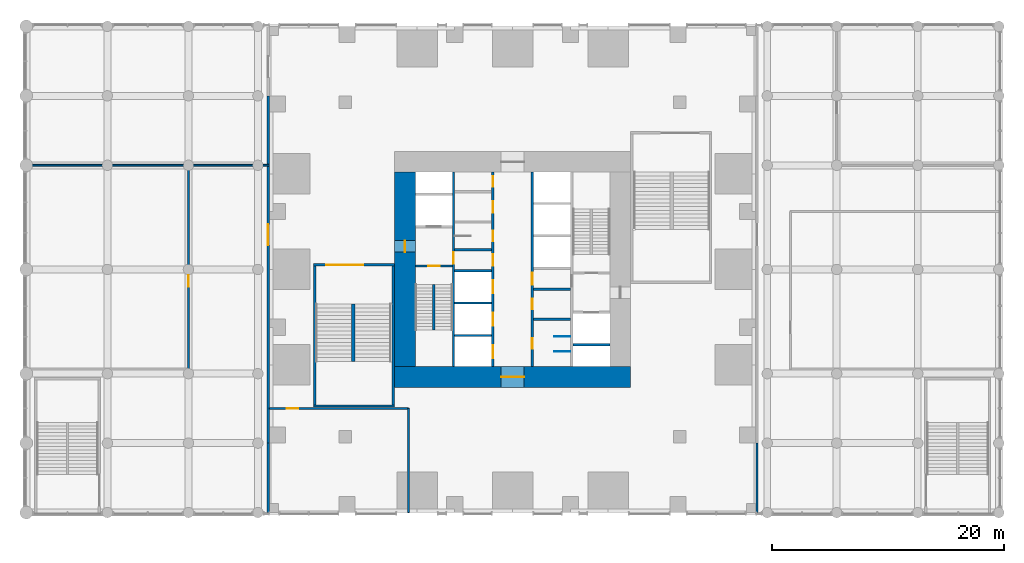
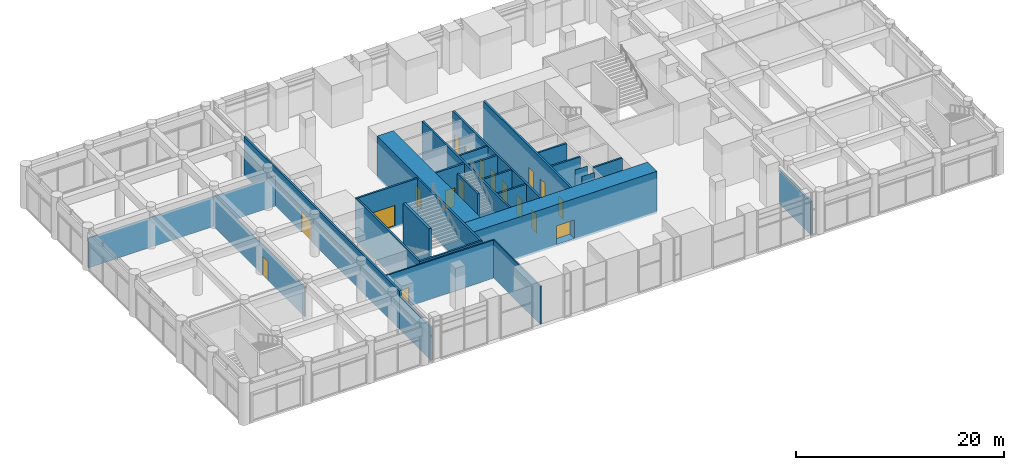
# One storey, part 16 of 23: 29 walls, 18 doors, 18 openings.
"""IFC4 building model written with IfcOpenShell, lengths in metres."""

from ifc_helpers import new_model, si_unit, direction, frame, frame_2d, origin, place, context, subcontext, project, spatial, rectangle, extrude, material, layer, layer_set, type_object, element, fill, save


model = new_model("IFC4")

# Units and contexts
model_context = context("Model", 3, precision=1e-05, world=origin(), true_north=direction((0.0, 1.0)))
body_context = subcontext(model_context, "Body", "Model", "MODEL_VIEW")
ifc_project = project(units=[si_unit("LENGTHUNIT", "METRE"), si_unit("AREAUNIT", "SQUARE_METRE"), si_unit("VOLUMEUNIT", "CUBIC_METRE"), si_unit("PLANEANGLEUNIT", "RADIAN"), si_unit("MASSUNIT", "GRAM", prefix="KILO")], contexts=[model_context])

# Site, building, storey
site_placement = place(None, origin())
site = spatial("IfcSite", under=ifc_project, at=site_placement, CompositionType="ELEMENT")
building_placement = place(site_placement, origin())
building = spatial("IfcBuilding", under=site, at=building_placement, Name="Svetlomir Tower", CompositionType="ELEMENT")
storey_placement = place(building_placement, frame((0.0, 0.0, 6.0)))
storey = spatial("IfcBuildingStorey", under=building, at=storey_placement, Name="L01", CompositionType="ELEMENT", Elevation=6.0)

# Wall, opening, door
ifc_material_1 = material(Name="Concrete C60/75", Category="concrete")
ifc_layer_1 = layer(ifc_material_1, 0.199951171875)
ifc_layer_set_1 = layer_set([ifc_layer_1], Name="Concrete C60/75")
wall_type_1 = type_object("IfcWallType", Name="CORE INNER WALL 200", PredefinedType="SHEAR", material=ifc_layer_set_1)
wall_1_placement = place(storey_placement, frame((15.89990234375, 12.60009765625, -0.199951171875), z_axis=(0.0, 0.0, 1.0), x_axis=(0.0, 1.0, 0.0)))
wall_1 = element("IfcWall", 1, at=wall_1_placement, inside=storey, type_object=wall_type_1, Name="Core inner wall 15.9 L01", PredefinedType="SHEAR", context=body_context, shape_type="SweptSolid", body=[
    extrude(rectangle(XDim=16.7998046875, YDim=0.199951171875, at=frame_2d((8.39990234375, 0.0))), origin(), (0.0, 0.0, 1.0), 4.89990234375),
])
opening_1_placement = place(wall_1_placement, frame((8.89990234375, 0.0, 0.199951171875)))
opening_1 = element("IfcOpeningElement", 2, at=opening_1_placement, cuts=wall_1, Name="Opening DF", PredefinedType="OPENING", context=body_context, shape_type="SweptSolid", body=[
    extrude(rectangle(XDim=1.0, YDim=2.199951171875, at=frame_2d((0.5, 1.10009765625))), frame((0.0, 0.10986328125, 0.0), z_axis=(0.0, -1.0, 0.0), x_axis=(1.0, 0.0, 0.0)), (0.0, 0.0, 1.0), 0.219970703125),
])
ifc_material_2 = material(Name="Steel fire door", Category="steel")
door_type_1 = type_object("IfcDoorType", Name="DOOR DF 1000x2200", OperationType="SINGLE_SWING_LEFT", PredefinedType="DOOR", material=ifc_material_2)
door_1_placement = place(opening_1_placement, origin())
door_1 = element("IfcDoor", 3, at=door_1_placement, inside=storey, type_object=door_type_1, Name="Core corridor west door L01", OperationType="SINGLE_SWING_LEFT", OverallHeight=2.199951171875, OverallWidth=1.0, PredefinedType="DOOR", context=body_context, shape_type="SweptSolid", body=[
    extrude(rectangle(XDim=1.0, YDim=2.199951171875, at=frame_2d((0.5, 1.10009765625))), frame((0.0, 0.02490234375, 0.0), z_axis=(0.0, -1.0, 0.0), x_axis=(1.0, 0.0, 0.0)), (0.0, 0.0, 1.0), 0.050048828125),
])
fill(opening_1, door_1)

# Wall, openings, doors
wall_2_placement = place(storey_placement, frame((19.300048828125, 12.60009765625, -0.199951171875), z_axis=(0.0, 0.0, 1.0), x_axis=(0.0, 1.0, 0.0)))
wall_2 = element("IfcWall", 4, at=wall_2_placement, inside=storey, type_object=wall_type_1, Name="Core inner wall 19.3 L01", PredefinedType="SHEAR", context=body_context, shape_type="SweptSolid", body=[
    extrude(rectangle(XDim=16.7998046875, YDim=0.199951171875, at=frame_2d((8.39990234375, 0.0))), origin(), (0.0, 0.0, 1.0), 4.89990234375),
])
opening_2_placement = place(wall_2_placement, frame((8.699951171875, 0.0, 0.199951171875)))
opening_2 = element("IfcOpeningElement", 5, at=opening_2_placement, cuts=wall_2, Name="Opening DC", PredefinedType="OPENING", context=body_context, shape_type="SweptSolid", body=[
    extrude(rectangle(XDim=1.0, YDim=2.199951171875, at=frame_2d((0.5, 1.10009765625))), frame((0.0, 0.10986328125, 0.0), z_axis=(0.0, -1.0, 0.0), x_axis=(1.0, 0.0, 0.0)), (0.0, 0.0, 1.0), 0.219970703125),
])
opening_3_placement = place(wall_2_placement, frame((10.85009765625, 0.0, 0.199951171875)))
opening_3 = element("IfcOpeningElement", 6, at=opening_3_placement, cuts=wall_2, Name="Opening DW", PredefinedType="OPENING", context=body_context, shape_type="SweptSolid", body=[
    extrude(rectangle(XDim=0.89990234375, YDim=2.199951171875, at=frame_2d((0.449951171875, 1.10009765625))), frame((0.0, 0.10986328125, 0.0), z_axis=(0.0, -1.0, 0.0), x_axis=(1.0, 0.0, 0.0)), (0.0, 0.0, 1.0), 0.219970703125),
])
opening_4_placement = place(wall_2_placement, frame((13.300048828125, 0.0, 0.199951171875)))
opening_4 = element("IfcOpeningElement", 7, at=opening_4_placement, cuts=wall_2, Name="Opening DC", PredefinedType="OPENING", context=body_context, shape_type="SweptSolid", body=[
    extrude(rectangle(XDim=1.0, YDim=2.199951171875, at=frame_2d((0.5, 1.10009765625))), frame((0.0, 0.10986328125, 0.0), z_axis=(0.0, -1.0, 0.0), x_axis=(1.0, 0.0, 0.0)), (0.0, 0.0, 1.0), 0.219970703125),
])
opening_5_placement = place(wall_2_placement, frame((15.550048828125, 0.0, 0.199951171875)))
opening_5 = element("IfcOpeningElement", 8, at=opening_5_placement, cuts=wall_2, Name="Opening DW", PredefinedType="OPENING", context=body_context, shape_type="SweptSolid", body=[
    extrude(rectangle(XDim=0.89990234375, YDim=2.199951171875, at=frame_2d((0.449951171875, 1.10009765625))), frame((0.0, 0.10986328125, 0.0), z_axis=(0.0, -1.0, 0.0), x_axis=(1.0, 0.0, 0.0)), (0.0, 0.0, 1.0), 0.219970703125),
])
opening_6_placement = place(wall_2_placement, frame((0.75, 0.0, 0.199951171875)))
opening_6 = element("IfcOpeningElement", 9, at=opening_6_placement, cuts=wall_2, Name="Opening LD", PredefinedType="OPENING", context=body_context, shape_type="SweptSolid", body=[
    extrude(rectangle(XDim=1.10009765625, YDim=2.199951171875, at=frame_2d((0.550048828125, 1.10009765625))), frame((0.0, 0.10986328125, 0.0), z_axis=(0.0, -1.0, 0.0), x_axis=(1.0, 0.0, 0.0)), (0.0, 0.0, 1.0), 0.219970703125),
])
opening_7_placement = place(wall_2_placement, frame((3.550048828125, 0.0, 0.199951171875)))
opening_7 = element("IfcOpeningElement", 10, at=opening_7_placement, cuts=wall_2, Name="Opening LD", PredefinedType="OPENING", context=body_context, shape_type="SweptSolid", body=[
    extrude(rectangle(XDim=1.10009765625, YDim=2.199951171875, at=frame_2d((0.550048828125, 1.10009765625))), frame((0.0, 0.10986328125, 0.0), z_axis=(0.0, -1.0, 0.0), x_axis=(1.0, 0.0, 0.0)), (0.0, 0.0, 1.0), 0.219970703125),
])
opening_8_placement = place(wall_2_placement, frame((6.35009765625, 0.0, 0.199951171875)))
opening_8 = element("IfcOpeningElement", 11, at=opening_8_placement, cuts=wall_2, Name="Opening LD", PredefinedType="OPENING", context=body_context, shape_type="SweptSolid", body=[
    extrude(rectangle(XDim=1.10009765625, YDim=2.199951171875, at=frame_2d((0.550048828125, 1.10009765625))), frame((0.0, 0.10986328125, 0.0), z_axis=(0.0, -1.0, 0.0), x_axis=(1.0, 0.0, 0.0)), (0.0, 0.0, 1.0), 0.219970703125),
])
ifc_material_3 = material(Name="Timber fire door", Category="wood")
door_type_2 = type_object("IfcDoorType", Name="DOOR DC 1000x2200", OperationType="SINGLE_SWING_LEFT", PredefinedType="DOOR", material=ifc_material_3)
door_2_placement = place(opening_2_placement, origin())
door_2 = element("IfcDoor", 12, at=door_2_placement, inside=storey, type_object=door_type_2, Name="Core corridor west lobby door L01", OperationType="SINGLE_SWING_LEFT", OverallHeight=2.199951171875, OverallWidth=1.0, PredefinedType="DOOR", context=body_context, shape_type="SweptSolid", body=[
    extrude(rectangle(XDim=1.0, YDim=2.199951171875, at=frame_2d((0.5, 1.10009765625))), frame((0.0, 0.02490234375, 0.0), z_axis=(0.0, -1.0, 0.0), x_axis=(1.0, 0.0, 0.0)), (0.0, 0.0, 1.0), 0.050048828125),
])
fill(opening_2, door_2)
door_3_placement = place(opening_4_placement, origin())
door_3 = element("IfcDoor", 13, at=door_3_placement, inside=storey, type_object=door_type_2, Name="Accessible WC door L01", OperationType="SINGLE_SWING_RIGHT", OverallHeight=2.199951171875, OverallWidth=1.0, PredefinedType="DOOR", context=body_context, shape_type="SweptSolid", body=[
    extrude(rectangle(XDim=1.0, YDim=2.199951171875, at=frame_2d((0.5, 1.10009765625))), frame((0.0, 0.02490234375, 0.0), z_axis=(0.0, -1.0, 0.0), x_axis=(1.0, 0.0, 0.0)), (0.0, 0.0, 1.0), 0.050048828125),
])
fill(opening_4, door_3)
ifc_material_4 = material(Name="Timber fire door", Category="wood")
door_type_3 = type_object("IfcDoorType", Name="DOOR DW 900x2200", OperationType="SINGLE_SWING_LEFT", PredefinedType="DOOR", material=ifc_material_4)
door_4_placement = place(opening_3_placement, origin())
door_4 = element("IfcDoor", 14, at=door_4_placement, inside=storey, type_object=door_type_3, Name="Female WC door L01", OperationType="SINGLE_SWING_LEFT", OverallHeight=2.199951171875, OverallWidth=0.89990234375, PredefinedType="DOOR", context=body_context, shape_type="SweptSolid", body=[
    extrude(rectangle(XDim=0.89990234375, YDim=2.199951171875, at=frame_2d((0.449951171875, 1.10009765625))), frame((0.0, 0.02490234375, 0.0), z_axis=(0.0, -1.0, 0.0), x_axis=(1.0, 0.0, 0.0)), (0.0, 0.0, 1.0), 0.050048828125),
])
fill(opening_3, door_4)
door_5_placement = place(opening_5_placement, origin())
door_5 = element("IfcDoor", 15, at=door_5_placement, inside=storey, type_object=door_type_3, Name="Tea point door L01", OperationType="SINGLE_SWING_LEFT", OverallHeight=2.199951171875, OverallWidth=0.89990234375, PredefinedType="DOOR", context=body_context, shape_type="SweptSolid", body=[
    extrude(rectangle(XDim=0.89990234375, YDim=2.199951171875, at=frame_2d((0.449951171875, 1.10009765625))), frame((0.0, 0.02490234375, 0.0), z_axis=(0.0, -1.0, 0.0), x_axis=(1.0, 0.0, 0.0)), (0.0, 0.0, 1.0), 0.050048828125),
])
fill(opening_5, door_5)
ifc_material_5 = material(Name="Stainless steel landing door", Category="steel")
door_type_4 = type_object("IfcDoorType", Name="LIFT LANDING DOOR LD 1100x2200", OperationType="DOUBLE_DOOR_SLIDING", PredefinedType="DOOR", material=ifc_material_5)
door_6_placement = place(opening_6_placement, origin())
door_6 = element("IfcDoor", 16, at=door_6_placement, inside=storey, type_object=door_type_4, Name="Landing door lift LA1 L01", OperationType="DOUBLE_DOOR_SLIDING", OverallHeight=2.199951171875, OverallWidth=1.10009765625, PredefinedType="DOOR", context=body_context, shape_type="SweptSolid", body=[
    extrude(rectangle(XDim=1.10009765625, YDim=2.199951171875, at=frame_2d((0.550048828125, 1.10009765625))), frame((0.0, 0.02490234375, 0.0), z_axis=(0.0, -1.0, 0.0), x_axis=(1.0, 0.0, 0.0)), (0.0, 0.0, 1.0), 0.050048828125),
])
fill(opening_6, door_6)
door_7_placement = place(opening_7_placement, origin())
door_7 = element("IfcDoor", 17, at=door_7_placement, inside=storey, type_object=door_type_4, Name="Landing door lift LA2 L01", OperationType="DOUBLE_DOOR_SLIDING", OverallHeight=2.199951171875, OverallWidth=1.10009765625, PredefinedType="DOOR", context=body_context, shape_type="SweptSolid", body=[
    extrude(rectangle(XDim=1.10009765625, YDim=2.199951171875, at=frame_2d((0.550048828125, 1.10009765625))), frame((0.0, 0.02490234375, 0.0), z_axis=(0.0, -1.0, 0.0), x_axis=(1.0, 0.0, 0.0)), (0.0, 0.0, 1.0), 0.050048828125),
])
fill(opening_7, door_7)
door_8_placement = place(opening_8_placement, origin())
door_8 = element("IfcDoor", 18, at=door_8_placement, inside=storey, type_object=door_type_4, Name="Landing door lift LA3 L01", OperationType="DOUBLE_DOOR_SLIDING", OverallHeight=2.199951171875, OverallWidth=1.10009765625, PredefinedType="DOOR", context=body_context, shape_type="SweptSolid", body=[
    extrude(rectangle(XDim=1.10009765625, YDim=2.199951171875, at=frame_2d((0.550048828125, 1.10009765625))), frame((0.0, 0.02490234375, 0.0), z_axis=(0.0, -1.0, 0.0), x_axis=(1.0, 0.0, 0.0)), (0.0, 0.0, 1.0), 0.050048828125),
])
fill(opening_8, door_8)

wall_3_placement = place(storey_placement, frame((22.699951171875, 12.60009765625, -0.199951171875), z_axis=(0.0, 0.0, 1.0), x_axis=(0.0, 1.0, 0.0)))
wall_3 = element("IfcWall", 19, at=wall_3_placement, inside=storey, type_object=wall_type_1, Name="Core inner wall 22.7 L01", PredefinedType="SHEAR", context=body_context, shape_type="SweptSolid", body=[
    extrude(rectangle(XDim=16.7998046875, YDim=0.199951171875, at=frame_2d((8.39990234375, 0.0))), origin(), (0.0, 0.0, 1.0), 4.89990234375),
])
opening_9_placement = place(wall_3_placement, frame((7.10009765625, 0.0, 0.199951171875)))
opening_9 = element("IfcOpeningElement", 20, at=opening_9_placement, cuts=wall_3, Name="Opening DC", PredefinedType="OPENING", context=body_context, shape_type="SweptSolid", body=[
    extrude(rectangle(XDim=1.0, YDim=2.199951171875, at=frame_2d((0.5, 1.10009765625))), frame((0.0, 0.10986328125, 0.0), z_axis=(0.0, -1.0, 0.0), x_axis=(1.0, 0.0, 0.0)), (0.0, 0.0, 1.0), 0.219970703125),
])
opening_10_placement = place(wall_3_placement, frame((1.550048828125, 0.0, 0.199951171875)))
opening_10 = element("IfcOpeningElement", 21, at=opening_10_placement, cuts=wall_3, Name="Opening DW", PredefinedType="OPENING", context=body_context, shape_type="SweptSolid", body=[
    extrude(rectangle(XDim=0.89990234375, YDim=2.199951171875, at=frame_2d((0.449951171875, 1.10009765625))), frame((0.0, 0.10986328125, 0.0), z_axis=(0.0, -1.0, 0.0), x_axis=(1.0, 0.0, 0.0)), (0.0, 0.0, 1.0), 0.219970703125),
])
opening_11_placement = place(wall_3_placement, frame((4.949951171875, 0.0, 0.199951171875)))
opening_11 = element("IfcOpeningElement", 22, at=opening_11_placement, cuts=wall_3, Name="Opening DW", PredefinedType="OPENING", context=body_context, shape_type="SweptSolid", body=[
    extrude(rectangle(XDim=0.89990234375, YDim=2.199951171875, at=frame_2d((0.449951171875, 1.10009765625))), frame((0.0, 0.10986328125, 0.0), z_axis=(0.0, -1.0, 0.0), x_axis=(1.0, 0.0, 0.0)), (0.0, 0.0, 1.0), 0.219970703125),
])
door_9_placement = place(opening_9_placement, origin())
door_9 = element("IfcDoor", 23, at=door_9_placement, inside=storey, type_object=door_type_2, Name="Core corridor east lobby door L01", OperationType="SINGLE_SWING_RIGHT", OverallHeight=2.199951171875, OverallWidth=1.0, PredefinedType="DOOR", context=body_context, shape_type="SweptSolid", body=[
    extrude(rectangle(XDim=1.0, YDim=2.199951171875, at=frame_2d((0.5, 1.10009765625))), frame((0.0, 0.02490234375, 0.0), z_axis=(0.0, -1.0, 0.0), x_axis=(1.0, 0.0, 0.0)), (0.0, 0.0, 1.0), 0.050048828125),
])
fill(opening_9, door_9)
door_10_placement = place(opening_10_placement, origin())
door_10 = element("IfcDoor", 24, at=door_10_placement, inside=storey, type_object=door_type_3, Name="Male WC door L01", OperationType="SINGLE_SWING_RIGHT", OverallHeight=2.199951171875, OverallWidth=0.89990234375, PredefinedType="DOOR", context=body_context, shape_type="SweptSolid", body=[
    extrude(rectangle(XDim=0.89990234375, YDim=2.199951171875, at=frame_2d((0.449951171875, 1.10009765625))), frame((0.0, 0.02490234375, 0.0), z_axis=(0.0, -1.0, 0.0), x_axis=(1.0, 0.0, 0.0)), (0.0, 0.0, 1.0), 0.050048828125),
])
fill(opening_10, door_10)
door_11_placement = place(opening_11_placement, origin())
door_11 = element("IfcDoor", 25, at=door_11_placement, inside=storey, type_object=door_type_3, Name="Comms room door L01", OperationType="SINGLE_SWING_LEFT", OverallHeight=2.199951171875, OverallWidth=0.89990234375, PredefinedType="DOOR", context=body_context, shape_type="SweptSolid", body=[
    extrude(rectangle(XDim=0.89990234375, YDim=2.199951171875, at=frame_2d((0.449951171875, 1.10009765625))), frame((0.0, 0.02490234375, 0.0), z_axis=(0.0, -1.0, 0.0), x_axis=(1.0, 0.0, 0.0)), (0.0, 0.0, 1.0), 0.050048828125),
])
fill(opening_11, door_11)

# Wall, opening, door
wall_4_placement = place(storey_placement, frame((12.60009765625, 21.300048828125, -0.199951171875), z_axis=(0.0, 0.0, 1.0), x_axis=(1.0, 0.0, 0.0)))
wall_4 = element("IfcWall", 26, at=wall_4_placement, inside=storey, type_object=wall_type_1, Name="Core inner wall 12.6-15.8/21.3 L01", PredefinedType="SHEAR", context=body_context, shape_type="SweptSolid", body=[
    extrude(rectangle(XDim=3.199951171875, YDim=0.199951171875, at=frame_2d((1.60009765625, 0.0))), origin(), (0.0, 0.0, 1.0), 4.89990234375),
])
opening_12_placement = place(wall_4_placement, frame((1.10009765625, 0.0, 0.199951171875)))
opening_12 = element("IfcOpeningElement", 27, at=opening_12_placement, cuts=wall_4, Name="Opening DF", PredefinedType="OPENING", context=body_context, shape_type="SweptSolid", body=[
    extrude(rectangle(XDim=1.0, YDim=2.199951171875, at=frame_2d((0.5, 1.10009765625))), frame((0.0, 0.10986328125, 0.0), z_axis=(0.0, -1.0, 0.0), x_axis=(1.0, 0.0, 0.0)), (0.0, 0.0, 1.0), 0.219970703125),
])
door_12_placement = place(opening_12_placement, origin())
door_12 = element("IfcDoor", 28, at=door_12_placement, inside=storey, type_object=door_type_1, Name="Stair S1 door L01", OperationType="SINGLE_SWING_LEFT", OverallHeight=2.199951171875, OverallWidth=1.0, PredefinedType="DOOR", context=body_context, shape_type="SweptSolid", body=[
    extrude(rectangle(XDim=1.0, YDim=2.199951171875, at=frame_2d((0.5, 1.10009765625))), frame((0.0, 0.02490234375, 0.0), z_axis=(0.0, -1.0, 0.0), x_axis=(1.0, 0.0, 0.0)), (0.0, 0.0, 1.0), 0.050048828125),
])
fill(opening_12, door_12)

# Walls
for number, where, z_axis, x_axis, name in (
    (29, (16.0, 15.300048828125, -0.199951171875), (0.0, 0.0, 1.0), (1.0, 0.0, 0.0), "Core inner wall 16-19.2/15.3 L01"),
    (30, (16.0, 18.10009765625, -0.199951171875), (0.0, 0.0, 1.0), (1.0, 0.0, 0.0), "Core inner wall 16-19.2/18.1 L01"),
    (31, (16.0, 20.89990234375, -0.199951171875), (0.0, 0.0, 1.0), (1.0, 0.0, 0.0), "Core inner wall 16-19.2/20.9 L01"),
    (32, (16.0, 22.699951171875, -0.199951171875), (0.0, 0.0, 1.0), (1.0, 0.0, 0.0), "Core inner wall 16-19.2/22.7 L01"),
    (33, (22.800048828125, 16.699951171875, -0.199951171875), (0.0, 0.0, 1.0), (1.0, 0.0, 0.0), "Core inner wall 22.8-26/16.7 L01"),
    (34, (22.800048828125, 19.300048828125, -0.199951171875), (0.0, 0.0, 1.0), (1.0, 0.0, 0.0), "Core inner wall 22.8-26/19.3 L01"),
    (35, (26.199951171875, 14.5, -0.199951171875), (0.0, 0.0, 1.0), (1.0, 0.0, 0.0), "Core inner wall 26.2-29.4/14.5 L01"),
):
    element("IfcWall", number, at=place(storey_placement, frame(where, z_axis=z_axis, x_axis=x_axis)), inside=storey, type_object=wall_type_1, Name=name, PredefinedType="SHEAR", context=body_context, shape_type="SweptSolid", body=[
        extrude(rectangle(XDim=3.199951171875, YDim=0.199951171875, at=frame_2d((1.60009765625, 0.0))), origin(), (0.0, 0.0, 1.0), 4.89990234375),
    ])

# Wall, opening, door
ifc_material_6 = material(Name="Concrete C60/75", Category="concrete")
ifc_layer_2 = layer(ifc_material_6, 1.800048828125)
ifc_layer_set_2 = layer_set([ifc_layer_2], Name="Concrete C60/75")
wall_type_2 = type_object("IfcWallType", Name="CORE WALL 1800", PredefinedType="SHEAR", material=ifc_layer_set_2)
wall_5_placement = place(storey_placement, frame((10.800048828125, 11.699951171875, -0.199951171875), z_axis=(0.0, 0.0, 1.0), x_axis=(1.0, 0.0, 0.0)))
wall_5 = element("IfcWall", 36, at=wall_5_placement, inside=storey, type_object=wall_type_2, Name="Core wall south L01", PredefinedType="SHEAR", context=body_context, shape_type="SweptSolid", body=[
    extrude(rectangle(XDim=20.39990234375, YDim=1.800048828125, at=frame_2d((10.199951171875, 0.0))), origin(), (0.0, 0.0, 1.0), 4.89990234375),
])
opening_13_placement = place(wall_5_placement, frame((9.199951171875, 0.0, 0.199951171875)))
opening_13 = element("IfcOpeningElement", 37, at=opening_13_placement, cuts=wall_5, Name="Opening DL", PredefinedType="OPENING", context=body_context, shape_type="SweptSolid", body=[
    extrude(rectangle(XDim=2.0, YDim=2.199951171875, at=frame_2d((1.0, 1.10009765625))), frame((0.0, 0.91015625, 0.0), z_axis=(0.0, -1.0, 0.0), x_axis=(1.0, 0.0, 0.0)), (0.0, 0.0, 1.0), 1.820068359375),
])
ifc_material_7 = material(Name="Steel fire door", Category="steel")
door_type_5 = type_object("IfcDoorType", Name="DOOR DL 2000x2200", OperationType="DOUBLE_DOOR_SINGLE_SWING", PredefinedType="DOOR", material=ifc_material_7)
door_13_placement = place(opening_13_placement, origin())
door_13 = element("IfcDoor", 38, at=door_13_placement, inside=storey, type_object=door_type_5, Name="Lift lobby south door L01", OperationType="DOUBLE_DOOR_SINGLE_SWING", OverallHeight=2.199951171875, OverallWidth=2.0, PredefinedType="DOOR", context=body_context, shape_type="SweptSolid", body=[
    extrude(rectangle(XDim=2.0, YDim=2.199951171875, at=frame_2d((1.0, 1.10009765625))), frame((0.0, 0.02490234375, 0.0), z_axis=(0.0, -1.0, 0.0), x_axis=(1.0, 0.0, 0.0)), (0.0, 0.0, 1.0), 0.050048828125),
])
fill(opening_13, door_13)

wall_6_placement = place(storey_placement, frame((11.699951171875, 12.60009765625, -0.199951171875), z_axis=(0.0, 0.0, 1.0), x_axis=(0.0, 1.0, 0.0)))
wall_6 = element("IfcWall", 39, at=wall_6_placement, inside=storey, type_object=wall_type_2, Name="Core wall west L01", PredefinedType="SHEAR", context=body_context, shape_type="SweptSolid", body=[
    extrude(rectangle(XDim=16.7998046875, YDim=1.800048828125, at=frame_2d((8.39990234375, 0.0))), origin(), (0.0, 0.0, 1.0), 4.89990234375),
])
opening_14_placement = place(wall_6_placement, frame((9.89990234375, 0.0, 0.199951171875)))
opening_14 = element("IfcOpeningElement", 40, at=opening_14_placement, cuts=wall_6, Name="Opening DF", PredefinedType="OPENING", context=body_context, shape_type="SweptSolid", body=[
    extrude(rectangle(XDim=1.0, YDim=2.199951171875, at=frame_2d((0.5, 1.10009765625))), frame((0.0, 0.91015625, 0.0), z_axis=(0.0, -1.0, 0.0), x_axis=(1.0, 0.0, 0.0)), (0.0, 0.0, 1.0), 1.820068359375),
])
door_14_placement = place(opening_14_placement, origin())
door_14 = element("IfcDoor", 41, at=door_14_placement, inside=storey, type_object=door_type_1, Name="Firefighting lobby west door L01", OperationType="SINGLE_SWING_LEFT", OverallHeight=2.199951171875, OverallWidth=1.0, PredefinedType="DOOR", context=body_context, shape_type="SweptSolid", body=[
    extrude(rectangle(XDim=1.0, YDim=2.199951171875, at=frame_2d((0.5, 1.10009765625))), frame((0.0, 0.02490234375, 0.0), z_axis=(0.0, -1.0, 0.0), x_axis=(1.0, 0.0, 0.0)), (0.0, 0.0, 1.0), 0.050048828125),
])
fill(opening_14, door_14)

# Wall
ifc_material_8 = material(Name="Reinforced blockwork fire wall", Category="masonry")
ifc_layer_3 = layer(ifc_material_8, 0.199951171875)
ifc_layer_set_3 = layer_set([ifc_layer_3], Name="Reinforced blockwork fire wall")
wall_type_3 = type_object("IfcWallType", Name="FIRE WALL 200", PredefinedType="PARTITIONING", material=ifc_layer_set_3)
wall_7_placement = place(storey_placement, frame((-0.110107421875, 0.0, 0.0), z_axis=(0.0, 0.0, 1.0), x_axis=(0.0, 1.0, 0.0)))
element("IfcWall", 42, at=wall_7_placement, inside=storey, type_object=wall_type_3, Name="Fire wall L01", PredefinedType="PARTITIONING", context=body_context, shape_type="SweptSolid", body=[
    extrude(rectangle(XDim=6.0, YDim=0.199951171875, at=frame_2d((3.0, 0.0))), origin(), (0.0, 0.0, 1.0), 3.8798828125),
])

# Wall, opening, door
wall_8_placement = place(storey_placement, frame((-0.110107421875, 6.0, 0.0), z_axis=(0.0, 0.0, 1.0), x_axis=(0.0, 1.0, 0.0)))
wall_8 = element("IfcWall", 43, at=wall_8_placement, inside=storey, type_object=wall_type_3, Name="Fire wall L01", PredefinedType="PARTITIONING", context=body_context, shape_type="SweptSolid", body=[
    extrude(rectangle(XDim=30.0, YDim=0.199951171875, at=frame_2d((15.0, 0.0))), origin(), (0.0, 0.0, 1.0), 4.5),
])
opening_15_placement = place(wall_8_placement, frame((17.10009765625, 0.0, 0.0)))
opening_15 = element("IfcOpeningElement", 44, at=opening_15_placement, cuts=wall_8, Name="Opening FD120", PredefinedType="OPENING", context=body_context, shape_type="SweptSolid", body=[
    extrude(rectangle(XDim=1.800048828125, YDim=2.39990234375, at=frame_2d((0.89990234375, 1.199951171875))), frame((0.0, 0.10986328125, 0.0), z_axis=(0.0, -1.0, 0.0), x_axis=(1.0, 0.0, 0.0)), (0.0, 0.0, 1.0), 0.219970703125),
])
ifc_material_9 = material(Name="Self-closing steel fire door", Category="steel")
door_type_6 = type_object("IfcDoorType", Name="FIRE DOOR FD120 1800x2400", OperationType="DOUBLE_DOOR_SINGLE_SWING", PredefinedType="DOOR", material=ifc_material_9)
door_15_placement = place(opening_15_placement, origin())
door_15 = element("IfcDoor", 45, at=door_15_placement, inside=storey, type_object=door_type_6, Name="Fire wall door L01", OperationType="DOUBLE_DOOR_SINGLE_SWING", OverallHeight=2.39990234375, OverallWidth=1.800048828125, PredefinedType="DOOR", context=body_context, shape_type="SweptSolid", body=[
    extrude(rectangle(XDim=1.800048828125, YDim=2.39990234375, at=frame_2d((0.89990234375, 1.199951171875))), frame((0.0, 0.02490234375, 0.0), z_axis=(0.0, -1.0, 0.0), x_axis=(1.0, 0.0, 0.0)), (0.0, 0.0, 1.0), 0.050048828125),
])
fill(opening_15, door_15)

# Walls
wall_9_placement = place(storey_placement, frame((42.110107421875, 0.0, 0.0), z_axis=(0.0, 0.0, 1.0), x_axis=(0.0, 1.0, 0.0)))
element("IfcWall", 46, at=wall_9_placement, inside=storey, type_object=wall_type_3, Name="Fire wall L01", PredefinedType="PARTITIONING", context=body_context, shape_type="SweptSolid", body=[
    extrude(rectangle(XDim=6.0, YDim=0.199951171875, at=frame_2d((3.0, 0.0))), origin(), (0.0, 0.0, 1.0), 3.8798828125),
])
ifc_material_10 = material(Name="Washable cement board on steel studs", Category="steel")
ifc_layer_4 = layer(ifc_material_10, 0.14990234375)
ifc_layer_set_4 = layer_set([ifc_layer_4], Name="Washable cement board on steel studs")
wall_type_4 = type_object("IfcWallType", Name="HYGIENIC PARTITION 150", PredefinedType="PARTITIONING", material=ifc_layer_set_4)
wall_10_placement = place(storey_placement, frame((-21.0, 30.0, 0.0), z_axis=(0.0, 0.0, 1.0), x_axis=(1.0, 0.0, 0.0)))
element("IfcWall", 47, at=wall_10_placement, inside=storey, type_object=wall_type_4, Name="Partition L01", PredefinedType="PARTITIONING", context=body_context, shape_type="SweptSolid", body=[
    extrude(rectangle(XDim=14.0, YDim=0.14990234375, at=frame_2d((7.0, 0.0))), origin(), (0.0, 0.0, 1.0), 3.5),
])

# Wall, opening, door
wall_11_placement = place(storey_placement, frame((-7.0, 12.39990234375, 0.0), z_axis=(0.0, 0.0, 1.0), x_axis=(0.0, 1.0, 0.0)))
wall_11 = element("IfcWall", 48, at=wall_11_placement, inside=storey, type_object=wall_type_4, Name="Partition L01", PredefinedType="PARTITIONING", context=body_context, shape_type="SweptSolid", body=[
    extrude(rectangle(XDim=17.60009765625, YDim=0.14990234375, at=frame_2d((8.800048828125, 0.0))), origin(), (0.0, 0.0, 1.0), 3.5),
])
opening_16_placement = place(wall_11_placement, frame((7.10009765625, 0.0, 0.0)))
opening_16 = element("IfcOpeningElement", 49, at=opening_16_placement, cuts=wall_11, Name="Opening DR", PredefinedType="OPENING", context=body_context, shape_type="SweptSolid", body=[
    extrude(rectangle(XDim=1.0, YDim=2.199951171875, at=frame_2d((0.5, 1.10009765625))), frame((0.0, 0.0849609375, 0.0), z_axis=(0.0, -1.0, 0.0), x_axis=(1.0, 0.0, 0.0)), (0.0, 0.0, 1.0), 0.169921875),
])
ifc_material_11 = material(Name="Timber door, glazed side light", Category="wood")
door_type_7 = type_object("IfcDoorType", Name="DOOR DR 1000x2200", OperationType="SINGLE_SWING_LEFT", PredefinedType="DOOR", material=ifc_material_11)
door_16_placement = place(opening_16_placement, origin())
door_16 = element("IfcDoor", 50, at=door_16_placement, inside=storey, type_object=door_type_7, Name="Kitchen door L01", OperationType="SINGLE_SWING_RIGHT", OverallHeight=2.199951171875, OverallWidth=1.0, PredefinedType="DOOR", context=body_context, shape_type="SweptSolid", body=[
    extrude(rectangle(XDim=1.0, YDim=2.199951171875, at=frame_2d((0.5, 1.10009765625))), frame((0.0, 0.02490234375, 0.0), z_axis=(0.0, -1.0, 0.0), x_axis=(1.0, 0.0, 0.0)), (0.0, 0.0, 1.0), 0.050048828125),
])
fill(opening_16, door_16)

# Wall
wall_12_placement = place(storey_placement, frame((-7.0, 30.0, 0.0), z_axis=(0.0, 0.0, 1.0), x_axis=(1.0, 0.0, 0.0)))
element("IfcWall", 51, at=wall_12_placement, inside=storey, type_object=wall_type_4, Name="Partition L01", PredefinedType="PARTITIONING", context=body_context, shape_type="SweptSolid", body=[
    extrude(rectangle(XDim=7.0, YDim=0.14990234375, at=frame_2d((3.5, 0.0))), origin(), (0.0, 0.0, 1.0), 3.5),
])

# Wall, opening, door
wall_13_placement = place(storey_placement, frame((0.0, 9.0, 0.0), z_axis=(0.0, 0.0, 1.0), x_axis=(1.0, 0.0, 0.0)))
wall_13 = element("IfcWall", 52, at=wall_13_placement, inside=storey, type_object=wall_type_4, Name="Partition L01", PredefinedType="PARTITIONING", context=body_context, shape_type="SweptSolid", body=[
    extrude(rectangle(XDim=12.0, YDim=0.14990234375, at=frame_2d((6.0, 0.0))), origin(), (0.0, 0.0, 1.0), 4.5),
])
opening_17_placement = place(wall_13_placement, frame((1.5, 0.0, 0.0)))
opening_17 = element("IfcOpeningElement", 53, at=opening_17_placement, cuts=wall_13, Name="Opening DR", PredefinedType="OPENING", context=body_context, shape_type="SweptSolid", body=[
    extrude(rectangle(XDim=1.0, YDim=2.199951171875, at=frame_2d((0.5, 1.10009765625))), frame((0.0, 0.0849609375, 0.0), z_axis=(0.0, -1.0, 0.0), x_axis=(1.0, 0.0, 0.0)), (0.0, 0.0, 1.0), 0.169921875),
])
door_17_placement = place(opening_17_placement, origin())
door_17 = element("IfcDoor", 54, at=door_17_placement, inside=storey, type_object=door_type_7, Name="Servery door L01", OperationType="SINGLE_SWING_RIGHT", OverallHeight=2.199951171875, OverallWidth=1.0, PredefinedType="DOOR", context=body_context, shape_type="SweptSolid", body=[
    extrude(rectangle(XDim=1.0, YDim=2.199951171875, at=frame_2d((0.5, 1.10009765625))), frame((0.0, 0.02490234375, 0.0), z_axis=(0.0, -1.0, 0.0), x_axis=(1.0, 0.0, 0.0)), (0.0, 0.0, 1.0), 0.050048828125),
])
fill(opening_17, door_17)

# Walls
wall_14_placement = place(storey_placement, frame((12.0, 0.0, 0.0), z_axis=(0.0, 0.0, 1.0), x_axis=(0.0, 1.0, 0.0)))
element("IfcWall", 55, at=wall_14_placement, inside=storey, type_object=wall_type_4, Name="Partition L01", PredefinedType="PARTITIONING", context=body_context, shape_type="SweptSolid", body=[
    extrude(rectangle(XDim=9.0, YDim=0.14990234375, at=frame_2d((4.5, 0.0))), origin(), (0.0, 0.0, 1.0), 4.5),
])
ifc_material_12 = material(Name="Concrete C60/75", Category="concrete")
ifc_layer_5 = layer(ifc_material_12, 0.199951171875)
ifc_layer_set_5 = layer_set([ifc_layer_5], Name="Concrete C60/75")
wall_type_5 = type_object("IfcWallType", Name="STAIR CORE WALL RC 200", PredefinedType="SOLIDWALL", material=ifc_layer_set_5)
wall_15_placement = place(storey_placement, frame((3.800048828125, 9.199951171875, -0.199951171875), z_axis=(0.0, 0.0, 1.0), x_axis=(1.0, 0.0, 0.0)))
element("IfcWall", 56, at=wall_15_placement, inside=storey, type_object=wall_type_5, Name="Stair P1 enclosure wall L01", PredefinedType="SOLIDWALL", context=body_context, shape_type="SweptSolid", body=[
    extrude(rectangle(XDim=7.0, YDim=0.199951171875, at=frame_2d((3.5, 0.0))), origin(), (0.0, 0.0, 1.0), 4.89990234375),
])
wall_16_placement = place(storey_placement, frame((10.699951171875, 9.10009765625, -0.199951171875), z_axis=(0.0, 0.0, 1.0), x_axis=(0.0, 1.0, 0.0)))
element("IfcWall", 57, at=wall_16_placement, inside=storey, type_object=wall_type_5, Name="Stair P1 enclosure wall L01", PredefinedType="SOLIDWALL", context=body_context, shape_type="SweptSolid", body=[
    extrude(rectangle(XDim=12.39990234375, YDim=0.199951171875, at=frame_2d((6.199951171875, 0.0))), origin(), (0.0, 0.0, 1.0), 4.89990234375),
])

# Wall, opening, door
wall_17_placement = place(storey_placement, frame((10.800048828125, 21.39990234375, -0.199951171875), z_axis=(0.0, 0.0, 1.0), x_axis=(-1.0, 0.0, 0.0)))
wall_17 = element("IfcWall", 58, at=wall_17_placement, inside=storey, type_object=wall_type_5, Name="Stair P1 enclosure wall L01", PredefinedType="SOLIDWALL", context=body_context, shape_type="SweptSolid", body=[
    extrude(rectangle(XDim=7.0, YDim=0.199951171875, at=frame_2d((3.5, 0.0))), origin(), (0.0, 0.0, 1.0), 4.89990234375),
])
opening_18_placement = place(wall_17_placement, frame((2.699951171875, 0.0, 0.199951171875)))
opening_18 = element("IfcOpeningElement", 59, at=opening_18_placement, cuts=wall_17, Name="Opening DS32", PredefinedType="OPENING", context=body_context, shape_type="SweptSolid", body=[
    extrude(rectangle(XDim=3.199951171875, YDim=2.39990234375, at=frame_2d((1.60009765625, 1.199951171875))), frame((0.0, 0.10986328125, 0.0), z_axis=(0.0, -1.0, 0.0), x_axis=(1.0, 0.0, 0.0)), (0.0, 0.0, 1.0), 0.219970703125),
])
ifc_material_13 = material(Name="Steel fire door", Category="steel")
door_type_8 = type_object("IfcDoorType", Name="STAIR DOUBLE DOOR DS 3200x2400", OperationType="DOUBLE_DOOR_SINGLE_SWING", PredefinedType="DOOR", material=ifc_material_13)
door_18_placement = place(opening_18_placement, origin())
door_18 = element("IfcDoor", 60, at=door_18_placement, inside=storey, type_object=door_type_8, Name="Stair P1 door L01", OperationType="DOUBLE_DOOR_SINGLE_SWING", OverallHeight=2.39990234375, OverallWidth=3.199951171875, PredefinedType="DOOR", context=body_context, shape_type="SweptSolid", body=[
    extrude(rectangle(XDim=3.199951171875, YDim=2.39990234375, at=frame_2d((1.60009765625, 1.199951171875))), frame((0.0, 0.02490234375, 0.0), z_axis=(0.0, -1.0, 0.0), x_axis=(1.0, 0.0, 0.0)), (0.0, 0.0, 1.0), 0.050048828125),
])
fill(opening_18, door_18)

# Walls
wall_18_placement = place(storey_placement, frame((3.89990234375, 21.5, -0.199951171875), z_axis=(0.0, 0.0, 1.0), x_axis=(0.0, -1.0, 0.0)))
element("IfcWall", 61, at=wall_18_placement, inside=storey, type_object=wall_type_5, Name="Stair P1 enclosure wall L01", PredefinedType="SOLIDWALL", context=body_context, shape_type="SweptSolid", body=[
    extrude(rectangle(XDim=12.39990234375, YDim=0.199951171875, at=frame_2d((6.199951171875, 0.0))), origin(), (0.0, 0.0, 1.0), 4.89990234375),
])
ifc_material_14 = material(Name="Concrete C60/75", Category="concrete")
ifc_layer_6 = layer(ifc_material_14, 0.199951171875)
ifc_layer_set_6 = layer_set([ifc_layer_6], Name="Concrete C60/75")
wall_type_6 = type_object("IfcWallType", Name="STAIR SPINE WALL 200", PredefinedType="PARTITIONING", material=ifc_layer_set_6)
wall_19_placement = place(storey_placement, frame((14.199951171875, 15.780029296875, 0.0), z_axis=(0.0, 0.0, 1.0), x_axis=(0.0, 1.0, 0.0)))
element("IfcWall", 62, at=wall_19_placement, inside=storey, type_object=wall_type_6, Name="Stair S1 spine wall L01", PredefinedType="PARTITIONING", context=body_context, shape_type="SweptSolid", body=[
    extrude(rectangle(XDim=3.919921875, YDim=0.199951171875, at=frame_2d((1.9599609375, 0.0))), origin(), (0.0, 0.0, 1.0), 5.0),
])
ifc_material_15 = material(Name="Concrete C60/75", Category="concrete")
ifc_layer_7 = layer(ifc_material_15, 0.300048828125)
ifc_layer_set_7 = layer_set([ifc_layer_7], Name="Concrete C60/75")
wall_type_7 = type_object("IfcWallType", Name="STAIR SPINE WALL 300", PredefinedType="PARTITIONING", material=ifc_layer_set_7)
wall_20_placement = place(storey_placement, frame((7.25, 13.050048828125, 0.0), z_axis=(0.0, 0.0, 1.0), x_axis=(0.0, 1.0, 0.0)))
element("IfcWall", 63, at=wall_20_placement, inside=storey, type_object=wall_type_7, Name="Stair P1 spine wall L01", PredefinedType="PARTITIONING", context=body_context, shape_type="SweptSolid", body=[
    extrude(rectangle(XDim=4.949951171875, YDim=0.300048828125, at=frame_2d((2.47509765625, 0.0))), origin(), (0.0, 0.0, 1.0), 5.0),
])
ifc_material_16 = material(Name="Compact laminate panel", Category="plastic")
ifc_layer_8 = layer(ifc_material_16, 0.030029296875)
ifc_layer_set_8 = layer_set([ifc_layer_8], Name="Compact laminate panel")
wall_type_8 = type_object("IfcWallType", Name="WC CUBICLE PARTITION 30", PredefinedType="PARTITIONING", material=ifc_layer_set_8)
for number, where, z_axis, x_axis, name in (
    (64, (24.60009765625, 13.89990234375, 0.0), (0.0, 0.0, 1.0), (1.0, 0.0, 0.0), "WC cubicle partition L01"),
    (65, (24.60009765625, 15.199951171875, 0.0), (0.0, 0.0, 1.0), (1.0, 0.0, 0.0), "WC cubicle partition L01"),
):
    element("IfcWall", number, at=place(storey_placement, frame(where, z_axis=z_axis, x_axis=x_axis)), inside=storey, type_object=wall_type_8, Name=name, PredefinedType="PARTITIONING", context=body_context, shape_type="SweptSolid", body=[
        extrude(rectangle(XDim=1.39990234375, YDim=0.030029296875, at=frame_2d((0.699951171875, 0.0))), origin(), (0.0, 0.0, 1.0), 4.5),
    ])

save(model, "model.ifc")
